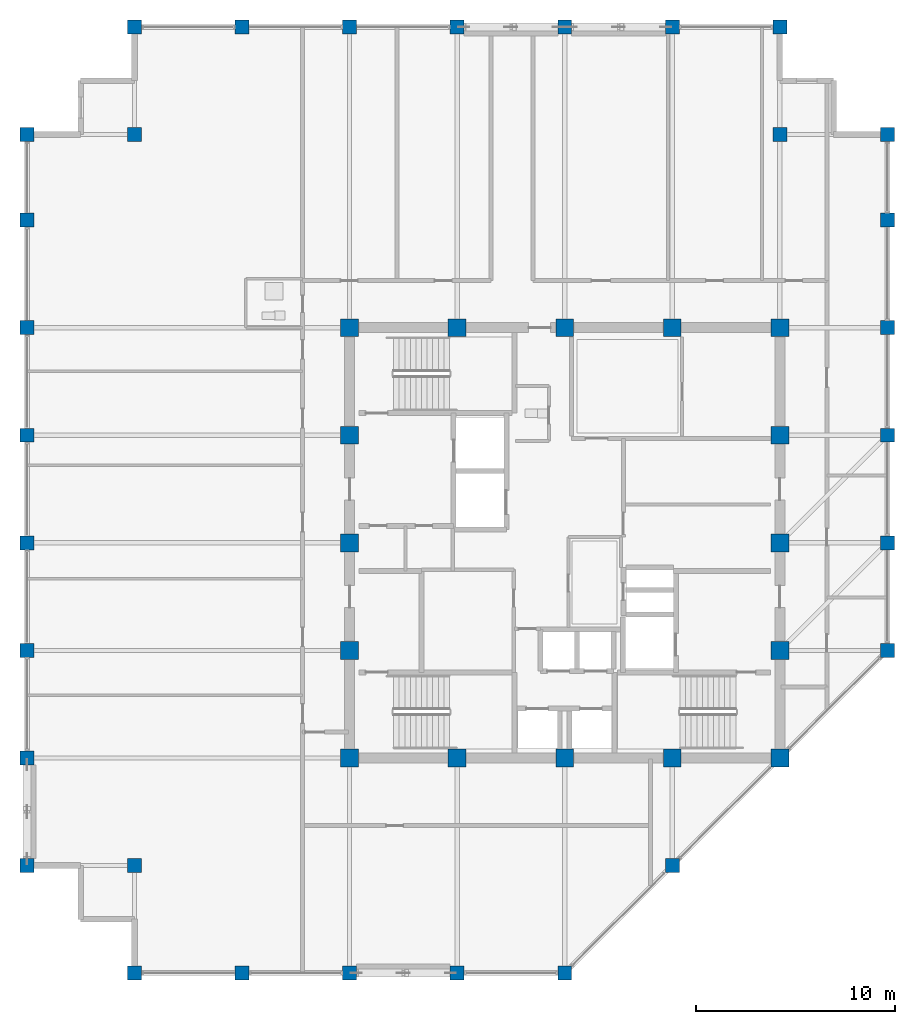
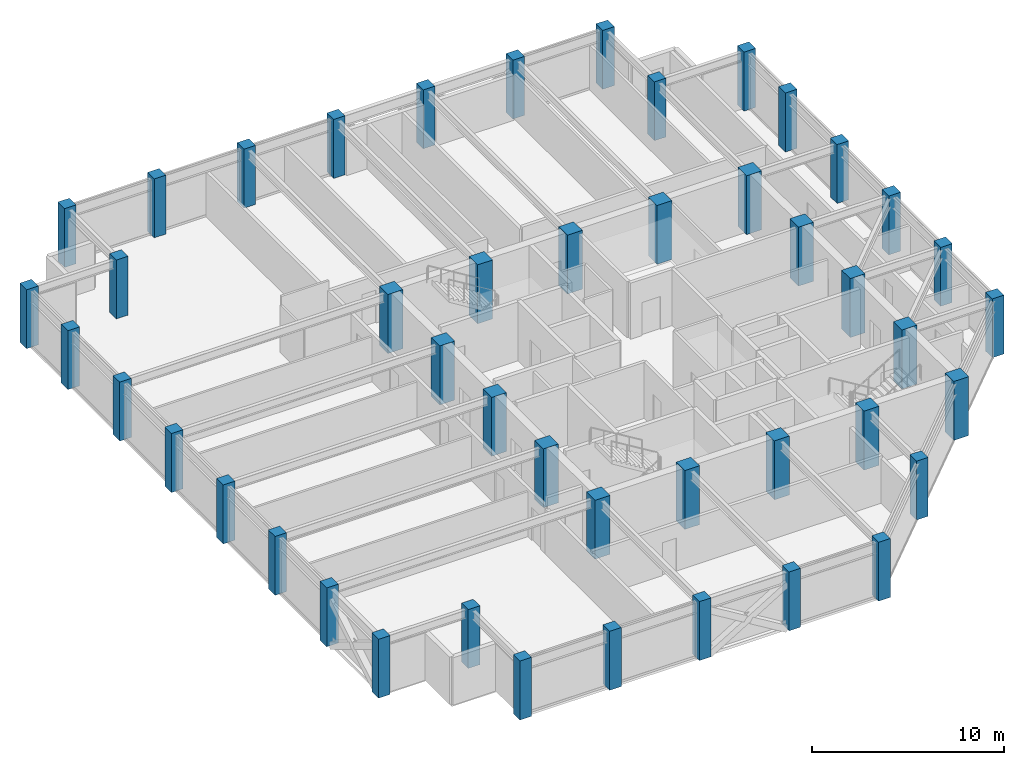
# One storey, part 1 of 31: 46 columns.
"""IFC4 building model written with IfcOpenShell, lengths in metres."""

from ifc_helpers import new_model, si_unit, direction, frame, origin, origin_2d, place, context, subcontext, project, spatial, rectangle, extrude, material, material_profile, profile_set, type_object, element, save


model = new_model("IFC4")

# Units and contexts
model_context = context("Model", 3, precision=1e-05, world=origin(), true_north=direction((0.0, 1.0)))
body_context = subcontext(model_context, "Body", "Model", "MODEL_VIEW")
ifc_project = project(units=[si_unit("LENGTHUNIT", "METRE"), si_unit("AREAUNIT", "SQUARE_METRE"), si_unit("VOLUMEUNIT", "CUBIC_METRE"), si_unit("PLANEANGLEUNIT", "RADIAN"), si_unit("MASSUNIT", "GRAM", prefix="KILO")], contexts=[model_context])

# Site, building, storey
site_placement = place(None, origin())
site = spatial("IfcSite", under=ifc_project, at=site_placement, CompositionType="ELEMENT")
building_placement = place(site_placement, origin())
building = spatial("IfcBuilding", under=site, at=building_placement, Name="Surkhivell Harbour Commons", CompositionType="ELEMENT")
storey_placement = place(building_placement, frame((0.0, 0.0, 285.0)))
storey = spatial("IfcBuildingStorey", under=building, at=storey_placement, Name="L74", CompositionType="ELEMENT", Elevation=285.0)

# Columns
ifc_material_1 = material(Name="Concrete C60/75", Category="concrete")
ifc_material_profile_1 = material_profile(ifc_material_1, rectangle(XDim=0.89990234375, YDim=0.89990234375, at=origin_2d()), Name="RC-COL-900x900")
ifc_profile_set_1 = profile_set([ifc_material_profile_1], Name="Concrete C60/75")
column_type_1 = type_object("IfcColumnType", Name="COL-TUBE-Z3A", PredefinedType="COLUMN", material=ifc_profile_set_1)
for number, where, z_axis, x_axis, name in (
    (1, (-10.800048828125, -10.800048828125, 0.0), (0.0, 0.0, 1.0), (1.0, 0.0, 0.0), "L74 Column CT-3A (-10.8,-10.8)"),
    (2, (-10.800048828125, -5.39990234375, 0.0), (0.0, 0.0, 1.0), (1.0, 0.0, 0.0), "L74 Column CT-3A (-10.8,-5.4)"),
    (3, (-10.800048828125, 0.0, 0.0), (0.0, 0.0, 1.0), (1.0, 0.0, 0.0), "L74 Column CT-3A (-10.8,0.0)"),
    (4, (-10.800048828125, 5.39990234375, 0.0), (0.0, 0.0, 1.0), (1.0, 0.0, 0.0), "L74 Column CT-3A (-10.8,5.4)"),
    (5, (-10.800048828125, 10.800048828125, 0.0), (0.0, 0.0, 1.0), (1.0, 0.0, 0.0), "L74 Column CT-3A (-10.8,10.8)"),
    (6, (-5.39990234375, -10.800048828125, 0.0), (0.0, 0.0, 1.0), (1.0, 0.0, 0.0), "L74 Column CT-3A (-5.4,-10.8)"),
    (7, (-5.39990234375, 10.800048828125, 0.0), (0.0, 0.0, 1.0), (1.0, 0.0, 0.0), "L74 Column CT-3A (-5.4,10.8)"),
    (8, (0.0, -10.800048828125, 0.0), (0.0, 0.0, 1.0), (1.0, 0.0, 0.0), "L74 Column CT-3A (0.0,-10.8)"),
    (9, (0.0, 10.800048828125, 0.0), (0.0, 0.0, 1.0), (1.0, 0.0, 0.0), "L74 Column CT-3A (0.0,10.8)"),
    (10, (5.39990234375, -10.800048828125, 0.0), (0.0, 0.0, 1.0), (1.0, 0.0, 0.0), "L74 Column CT-3A (5.4,-10.8)"),
    (11, (5.39990234375, 10.800048828125, 0.0), (0.0, 0.0, 1.0), (1.0, 0.0, 0.0), "L74 Column CT-3A (5.4,10.8)"),
    (12, (10.800048828125, -10.800048828125, 0.0), (0.0, 0.0, 1.0), (1.0, 0.0, 0.0), "L74 Column CT-3A (10.8,-10.8)"),
    (13, (10.800048828125, -5.39990234375, 0.0), (0.0, 0.0, 1.0), (1.0, 0.0, 0.0), "L74 Column CT-3A (10.8,-5.4)"),
    (14, (10.800048828125, 0.0, 0.0), (0.0, 0.0, 1.0), (1.0, 0.0, 0.0), "L74 Column CT-3A (10.8,0.0)"),
    (15, (10.800048828125, 5.39990234375, 0.0), (0.0, 0.0, 1.0), (1.0, 0.0, 0.0), "L74 Column CT-3A (10.8,5.4)"),
    (16, (10.800048828125, 10.800048828125, 0.0), (0.0, 0.0, 1.0), (1.0, 0.0, 0.0), "L74 Column CT-3A (10.8,10.8)"),
):
    element("IfcColumn", number, at=place(storey_placement, frame(where, z_axis=z_axis, x_axis=x_axis)), inside=storey, type_object=column_type_1, Name=name, PredefinedType="COLUMN", context=body_context, shape_type="SweptSolid", body=[
        extrude(rectangle(XDim=0.89990234375, YDim=0.89990234375, at=origin_2d()), origin(), (0.0, 0.0, 1.0), 3.75),
    ])
ifc_material_2 = material(Name="Concrete C50/60", Category="concrete")
ifc_material_profile_2 = material_profile(ifc_material_2, rectangle(XDim=0.699951171875, YDim=0.699951171875, at=origin_2d()), Name="RC-COL-700x700")
ifc_profile_set_2 = profile_set([ifc_material_profile_2], Name="Concrete C50/60")
column_type_2 = type_object("IfcColumnType", Name="COL-TUBE-Z4", PredefinedType="COLUMN", material=ifc_profile_set_2)
for number, where, z_axis, x_axis, name in (
    (17, (-27.0, -16.199951171875, 0.0), (0.0, 0.0, 1.0), (1.0, 0.0, 0.0), "L74 Column CT-4 (-27.0,-16.2)"),
    (18, (-27.0, -10.800048828125, 0.0), (0.0, 0.0, 1.0), (1.0, 0.0, 0.0), "L74 Column CT-4 (-27.0,-10.8)"),
    (19, (-27.0, -5.39990234375, 0.0), (0.0, 0.0, 1.0), (1.0, 0.0, 0.0), "L74 Column CT-4 (-27.0,-5.4)"),
    (20, (-27.0, 0.0, 0.0), (0.0, 0.0, 1.0), (1.0, 0.0, 0.0), "L74 Column CT-4 (-27.0,0.0)"),
    (21, (-27.0, 5.39990234375, 0.0), (0.0, 0.0, 1.0), (1.0, 0.0, 0.0), "L74 Column CT-4 (-27.0,5.4)"),
    (22, (-27.0, 10.800048828125, 0.0), (0.0, 0.0, 1.0), (1.0, 0.0, 0.0), "L74 Column CT-4 (-27.0,10.8)"),
    (23, (-27.0, 16.199951171875, 0.0), (0.0, 0.0, 1.0), (1.0, 0.0, 0.0), "L74 Column CT-4 (-27.0,16.2)"),
    (24, (-27.0, 20.5, 0.0), (0.0, 0.0, 1.0), (1.0, 0.0, 0.0), "L74 Column CT-4 (-27.0,20.5)"),
    (25, (-21.60009765625, -21.60009765625, 0.0), (0.0, 0.0, 1.0), (1.0, 0.0, 0.0), "L74 Column CT-4 (-21.6,-21.6)"),
    (26, (-21.60009765625, -16.199951171875, 0.0), (0.0, 0.0, 1.0), (1.0, 0.0, 0.0), "L74 Column CT-4 (-21.6,-16.2)"),
    (27, (-21.60009765625, 20.5, 0.0), (0.0, 0.0, 1.0), (1.0, 0.0, 0.0), "L74 Column CT-4 (-21.6,20.5)"),
    (28, (-21.60009765625, 25.89990234375, 0.0), (0.0, 0.0, 1.0), (1.0, 0.0, 0.0), "L74 Column CT-4 (-21.6,25.9)"),
    (29, (-16.199951171875, -21.60009765625, 0.0), (0.0, 0.0, 1.0), (1.0, 0.0, 0.0), "L74 Column CT-4 (-16.2,-21.6)"),
    (30, (-16.199951171875, 25.89990234375, 0.0), (0.0, 0.0, 1.0), (1.0, 0.0, 0.0), "L74 Column CT-4 (-16.2,25.9)"),
    (31, (-10.800048828125, -21.60009765625, 0.0), (0.0, 0.0, 1.0), (1.0, 0.0, 0.0), "L74 Column CT-4 (-10.8,-21.6)"),
    (32, (-10.800048828125, 25.89990234375, 0.0), (0.0, 0.0, 1.0), (1.0, 0.0, 0.0), "L74 Column CT-4 (-10.8,25.9)"),
    (33, (-5.39990234375, -21.60009765625, 0.0), (0.0, 0.0, 1.0), (1.0, 0.0, 0.0), "L74 Column CT-4 (-5.4,-21.6)"),
    (34, (-5.39990234375, 25.89990234375, 0.0), (0.0, 0.0, 1.0), (1.0, 0.0, 0.0), "L74 Column CT-4 (-5.4,25.9)"),
    (35, (0.0, -21.60009765625, 0.0), (0.0, 0.0, 1.0), (1.0, 0.0, 0.0), "L74 Column CT-4 (-0.0,-21.6)"),
    (36, (0.0, 25.89990234375, 0.0), (0.0, 0.0, 1.0), (1.0, 0.0, 0.0), "L74 Column CT-4 (-0.0,25.9)"),
    (37, (5.39990234375, -16.199951171875, 0.0), (0.0, 0.0, 1.0), (1.0, 0.0, 0.0), "L74 Column CT-4 (5.4,-16.2)"),
    (38, (5.39990234375, 25.89990234375, 0.0), (0.0, 0.0, 1.0), (1.0, 0.0, 0.0), "L74 Column CT-4 (5.4,25.9)"),
    (39, (10.800048828125, 20.5, 0.0), (0.0, 0.0, 1.0), (1.0, 0.0, 0.0), "L74 Column CT-4 (10.8,20.5)"),
    (40, (10.800048828125, 25.89990234375, 0.0), (0.0, 0.0, 1.0), (1.0, 0.0, 0.0), "L74 Column CT-4 (10.8,25.9)"),
    (41, (16.199951171875, -5.39990234375, 0.0), (0.0, 0.0, 1.0), (1.0, 0.0, 0.0), "L74 Column CT-4 (16.2,-5.4)"),
    (42, (16.199951171875, 0.0, 0.0), (0.0, 0.0, 1.0), (1.0, 0.0, 0.0), "L74 Column CT-4 (16.2,0.0)"),
    (43, (16.199951171875, 5.39990234375, 0.0), (0.0, 0.0, 1.0), (1.0, 0.0, 0.0), "L74 Column CT-4 (16.2,5.4)"),
    (44, (16.199951171875, 10.800048828125, 0.0), (0.0, 0.0, 1.0), (1.0, 0.0, 0.0), "L74 Column CT-4 (16.2,10.8)"),
    (45, (16.199951171875, 16.199951171875, 0.0), (0.0, 0.0, 1.0), (1.0, 0.0, 0.0), "L74 Column CT-4 (16.2,16.2)"),
    (46, (16.199951171875, 20.5, 0.0), (0.0, 0.0, 1.0), (1.0, 0.0, 0.0), "L74 Column CT-4 (16.2,20.5)"),
):
    element("IfcColumn", number, at=place(storey_placement, frame(where, z_axis=z_axis, x_axis=x_axis)), inside=storey, type_object=column_type_2, Name=name, PredefinedType="COLUMN", context=body_context, shape_type="SweptSolid", body=[
        extrude(rectangle(XDim=0.699951171875, YDim=0.699951171875, at=origin_2d()), origin(), (0.0, 0.0, 1.0), 3.75),
    ])

save(model, "model.ifc")
